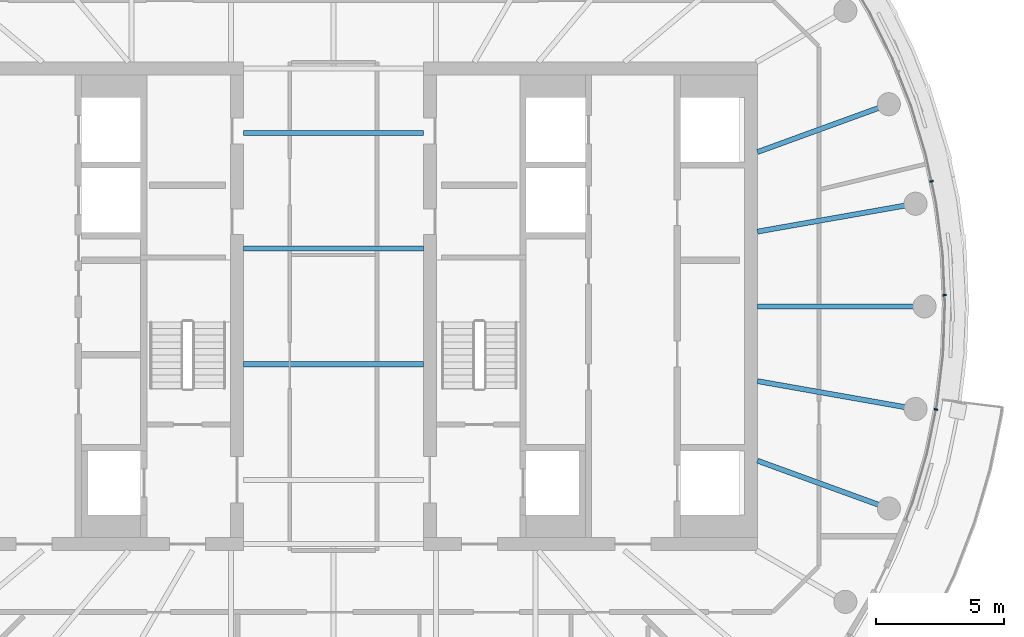
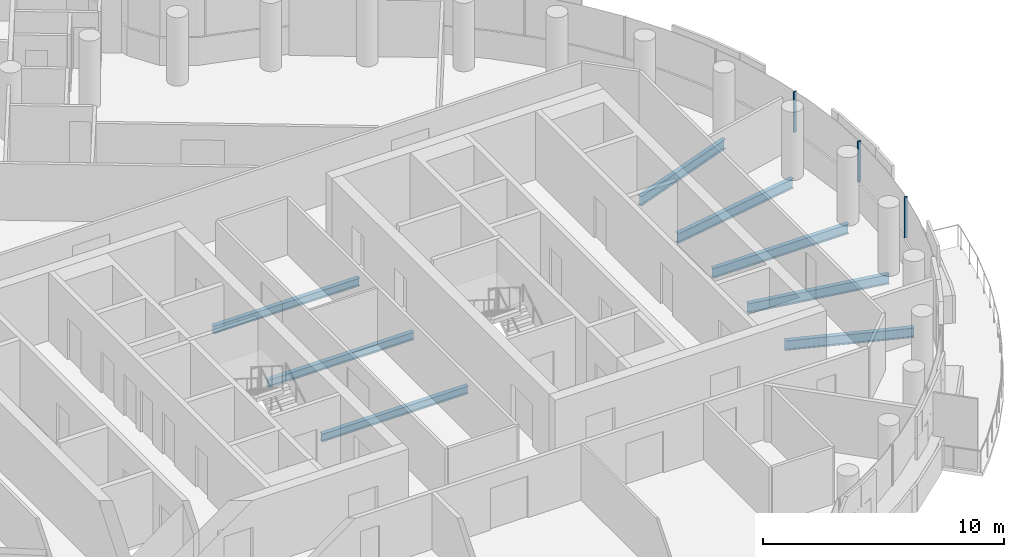
# One storey, part 8 of 27: 8 beams, 3 members, 1 element without a shape of its own.
"""IFC4 building model written with IfcOpenShell, lengths in metres."""

import ifcopenshell
import ifcopenshell.guid

model = None  # the IFC model being written
_history = None  # IfcOwnerHistory: only IFC2X3 demands one
_inside = {}  # id of a spatial element -> (the spatial element, [elements in it])
_under = {}  # id of a project, library or spatial element -> (it, [spatial elements below it])
_declared = {}  # id of a project -> (the project, [libraries it declares])
_typed = {}  # id of a type object -> (the type object, [elements of that type])
_made_of = {}  # id of a material, layer set ... -> (it, [elements and type objects made of it])


def new_model(schema):
    """Start an empty IFC model of exactly this schema.

    Asked for "IFC4X3", IfcOpenShell would pick the latest addendum, in which some entities
    have other attributes; the version numbers below select the first issue.
    IFC2X3 requires an IfcOwnerHistory on every rooted entity: one is made here for all.
    """
    global model, _history
    if schema == "IFC4X3":
        model = ifcopenshell.file(schema_version=(4, 3, 0, 0))
    else:
        model = ifcopenshell.file(schema=schema)
    _inside.clear()
    _under.clear()
    _declared.clear()
    _typed.clear()
    _made_of.clear()
    _history = None
    if model.schema == "IFC2X3":
        org = make("IfcOrganization", Name="unknown")
        user = make(
            "IfcPersonAndOrganization",
            ThePerson=make("IfcPerson", FamilyName="unknown"),
            TheOrganization=org,
        )
        app = make(
            "IfcApplication",
            ApplicationDeveloper=org,
            Version="unknown",
            ApplicationFullName="unknown",
            ApplicationIdentifier="unknown",
        )
        _history = make(
            "IfcOwnerHistory",
            OwningUser=user,
            OwningApplication=app,
            ChangeAction="ADDED",
            CreationDate=0,
        )
    return model


def make(cls, **values):
    """One entity of the class cls with the attributes given. An attribute that is None is left unset."""
    return model.create_entity(
        cls, **{name: value for name, value in values.items() if value is not None}
    )


def rooted(cls, **values):
    """An entity with a GlobalId (a new one), such as an element, a storey or a relation."""
    return make(cls, GlobalId=ifcopenshell.guid.new(), OwnerHistory=_history, **values)


def si_unit(unit_type, name, prefix=None):
    """IfcSIUnit, for example si_unit("LENGTHUNIT", "METRE", prefix="MILLI")."""
    return make("IfcSIUnit", UnitType=unit_type, Prefix=prefix, Name=name)


def assignment(units):
    """IfcUnitAssignment: the units of a project."""
    return None if units is None else make("IfcUnitAssignment", Units=units)


def point(xyz):
    """IfcCartesianPoint."""
    return None if xyz is None else make("IfcCartesianPoint", Coordinates=xyz)


def direction(xyz):
    """IfcDirection."""
    return None if xyz is None else make("IfcDirection", DirectionRatios=xyz)


def frame(location, z_axis=None, x_axis=None):
    """IfcAxis2Placement3D, a coordinate frame: its origin and axes. An axis left out is left unset."""
    return make(
        "IfcAxis2Placement3D",
        Location=point(location),
        Axis=direction(z_axis),
        RefDirection=direction(x_axis),
    )


def frame_2d(location, x_axis=None):
    """IfcAxis2Placement2D, a coordinate frame in the plane: its origin and x axis."""
    return make(
        "IfcAxis2Placement2D", Location=point(location), RefDirection=direction(x_axis)
    )


def origin():
    """The frame at (0, 0, 0) with its axes left unset."""
    return frame((0.0, 0.0, 0.0))


def origin_2d():
    """The frame at (0, 0) in the plane with its x axis left unset."""
    return frame_2d((0.0, 0.0))


def place(relative_to, where):
    """IfcLocalPlacement: puts the frame where relative to a parent placement (None: the world)."""
    return make(
        "IfcLocalPlacement", PlacementRelTo=relative_to, RelativePlacement=where
    )


def context(
    kind, dimensions, precision=None, world=None, true_north=None, identifier=None
):
    """IfcGeometricRepresentationContext, for example the 3D "Model" context."""
    return make(
        "IfcGeometricRepresentationContext",
        ContextIdentifier=identifier,
        ContextType=kind,
        CoordinateSpaceDimension=dimensions,
        Precision=precision,
        WorldCoordinateSystem=world,
        TrueNorth=true_north,
    )


def subcontext(parent, identifier, kind, view, scale=None):
    """IfcGeometricRepresentationSubContext, for example "Body" below "Model"."""
    return make(
        "IfcGeometricRepresentationSubContext",
        ContextIdentifier=identifier,
        ContextType=kind,
        ParentContext=parent,
        TargetScale=scale,
        TargetView=view,
    )


def project(units=None, contexts=None):
    """IfcProject with its units and contexts."""
    return rooted(
        "IfcProject",
        Name="project",
        RepresentationContexts=contexts,
        UnitsInContext=assignment(units),
    )


def spatial(cls, under=None, at=None, **own):
    """A site, building, storey or space (cls), placed at a placement, below another one or the project."""
    s = rooted(cls, ObjectPlacement=at, **own)
    if under is not None:
        _under.setdefault(under.id(), (under, []))[1].append(s)
    return s


def profile(cls, at=None, kind="AREA", **sizes):
    """A parametric profile (cls). Its sizes go by their IFC names, for example OverallWidth=200.0."""
    return make(cls, ProfileType=kind, Position=at, **sizes)


def rectangle(**sizes):
    """IfcRectangleProfileDef."""
    return profile("IfcRectangleProfileDef", **sizes)


def i_section(**sizes):
    """IfcIShapeProfileDef."""
    return profile("IfcIShapeProfileDef", **sizes)


def extrude(swept, where, along, depth):
    """IfcExtrudedAreaSolid: the profile swept, set in the frame where, extruded along a direction by depth."""
    return make(
        "IfcExtrudedAreaSolid",
        SweptArea=swept,
        Position=where,
        ExtrudedDirection=direction(along),
        Depth=depth,
    )


def shape(context_of_items, identifier, shape_type, items):
    """IfcShapeRepresentation: the items that make up one representation, for example the "Body"."""
    return make(
        "IfcShapeRepresentation",
        ContextOfItems=context_of_items,
        RepresentationIdentifier=identifier,
        RepresentationType=shape_type,
        Items=items,
    )


def material(Name=None, Category=None):
    """IfcMaterial."""
    return make("IfcMaterial", Name=Name, Category=Category)


def layer(
    of_material, thickness, ventilated=None, Name=None, Category=None, Priority=None
):
    """IfcMaterialLayer: one layer of a wall or slab, of a material (None: an air gap)."""
    return make(
        "IfcMaterialLayer",
        Material=of_material,
        LayerThickness=thickness,
        IsVentilated=ventilated,
        Name=Name,
        Category=Category,
        Priority=Priority,
    )


def layer_set(layers, Name=None):
    """IfcMaterialLayerSet."""
    return make("IfcMaterialLayerSet", MaterialLayers=layers, LayerSetName=Name)


def material_profile(
    of_material, cross_section, Name=None, Category=None, Priority=None
):
    """IfcMaterialProfile: a cross section and its material."""
    return make(
        "IfcMaterialProfile",
        Name=Name,
        Material=of_material,
        Profile=cross_section,
        Priority=Priority,
        Category=Category,
    )


def profile_set(profiles, Name=None, composite=None):
    """IfcMaterialProfileSet."""
    return make(
        "IfcMaterialProfileSet",
        Name=Name,
        MaterialProfiles=profiles,
        CompositeProfile=composite,
    )


def made_of(thing, what):
    """Note that an element or type object is made of a material, layer set ...; save() writes the relation."""
    if what is not None:
        _made_of.setdefault(what.id(), (what, []))[1].append(thing)
    return thing


def type_object(cls, material=None, **own):
    """A type object (cls), such as IfcWallType, which elements share."""
    return made_of(rooted(cls, **own), material)


def element(
    cls,
    number,
    at=None,
    inside=None,
    cuts=None,
    type_object=None,
    material=None,
    context=None,
    identifier="Body",
    shape_type=None,
    held_by="IfcProductDefinitionShape",
    body=None,
    shapes=None,
    **own,
):
    """One element of the class cls, such as IfcWall. Its Tag is "e" and its number.

    at: its placement. inside: the storey or other place that contains it. cuts: it is an
    opening in that element (IfcRelVoidsElement). A single representation is given by context,
    identifier, shape_type and body (its items); several are given by shapes. held_by: the class
    of the entity that holds the representations. save() writes the other relations.
    """
    e = rooted(cls, Tag="e%d" % number, ObjectPlacement=at, **own)
    if body is not None:
        shapes = [shape(context, identifier, shape_type, body)]
    if shapes is not None:
        e.Representation = make(held_by, Representations=shapes)
    if inside is not None:
        _inside.setdefault(inside.id(), (inside, []))[1].append(e)
    if cuts is not None:
        rooted(
            "IfcRelVoidsElement", RelatingBuildingElement=cuts, RelatedOpeningElement=e
        )
    if type_object is not None:
        _typed.setdefault(type_object.id(), (type_object, []))[1].append(e)
    return made_of(e, material)


def aggregate(whole, parts):
    """IfcRelAggregates: a whole, such as a stair, and the parts it consists of."""
    return rooted("IfcRelAggregates", RelatingObject=whole, RelatedObjects=parts)


def save(model, path):
    """Write the relations noted so far, then the file.

    IfcRelAggregates (storeys below a building ...), IfcRelContainedInSpatialStructure (elements
    in a storey), IfcRelDefinesByType, IfcRelAssociatesMaterial and IfcRelDeclares: one each for
    every whole, place, type object, material and project.
    """
    for whole, parts in _under.values():
        aggregate(whole, parts)
    for where, things in _inside.values():
        rooted(
            "IfcRelContainedInSpatialStructure",
            RelatedElements=things,
            RelatingStructure=where,
        )
    for kind, things in _typed.values():
        rooted("IfcRelDefinesByType", RelatedObjects=things, RelatingType=kind)
    for what, things in _made_of.values():
        rooted("IfcRelAssociatesMaterial", RelatedObjects=things, RelatingMaterial=what)
    for by, libraries in _declared.values():
        rooted("IfcRelDeclares", RelatingContext=by, RelatedDefinitions=libraries)
    model.write(path)


model = new_model("IFC4")

# Units and contexts
model_context = context("Model", 3, precision=1e-05, world=origin(), true_north=direction((0.0, 1.0)))
body_context = subcontext(model_context, "Body", "Model", "MODEL_VIEW")
ifc_project = project(units=[si_unit("LENGTHUNIT", "METRE"), si_unit("AREAUNIT", "SQUARE_METRE"), si_unit("VOLUMEUNIT", "CUBIC_METRE"), si_unit("PLANEANGLEUNIT", "RADIAN"), si_unit("MASSUNIT", "GRAM", prefix="KILO")], contexts=[model_context])

# Site, building, storey
site_placement = place(None, origin())
site = spatial("IfcSite", under=ifc_project, at=site_placement, CompositionType="ELEMENT")
building_placement = place(site_placement, origin())
building = spatial("IfcBuilding", under=site, at=building_placement, Name="Tamarind Cross Interchange Tower", CompositionType="ELEMENT")
storey_placement = place(building_placement, frame((0.0, 0.0, 245.10009765625)))
storey = spatial("IfcBuildingStorey", under=building, at=storey_placement, Name="L62", CompositionType="ELEMENT", Elevation=245.10009765625)

# Beams
ifc_material_1 = material(Name="Steel Q355B", Category="steel")
ifc_material_profile_1 = material_profile(ifc_material_1, i_section(OverallWidth=0.199951171875, OverallDepth=0.39990234375, WebThickness=0.008056640625, FlangeThickness=0.012939453125, FilletRadius=0.01611328125, at=origin_2d()), Name="HN 400x200x8x13")
ifc_profile_set_1 = profile_set([ifc_material_profile_1], Name="Steel Q355B")
beam_type_1 = type_object("IfcBeamType", Name="Composite beam HN 400x200x8x13 Q355B", PredefinedType="BEAM", material=ifc_profile_set_1)
for number, where, z_axis, x_axis, name in (
    (1, (-3.5, -2.25, -0.340087890625), (1.0, 0.0, 0.0), (0.0, 1.0, 0.0), "Beam G-2.25"),
    (2, (-3.5, 2.25, -0.340087890625), (1.0, 0.0, 0.0), (0.0, 1.0, 0.0), "Beam G2.25"),
    (3, (-3.5, 6.75, -0.340087890625), (1.0, 0.0, 0.0), (0.0, 1.0, 0.0), "Beam G6.75"),
):
    element("IfcBeam", number, at=place(storey_placement, frame(where, z_axis=z_axis, x_axis=x_axis)), inside=storey, type_object=beam_type_1, Name=name, PredefinedType="BEAM", context=body_context, shape_type="SweptSolid", body=[
        extrude(i_section(OverallWidth=0.199951171875, OverallDepth=0.39990234375, WebThickness=0.008056640625, FlangeThickness=0.012939453125, FilletRadius=0.01611328125, at=origin_2d()), origin(), (0.0, 0.0, 1.0), 7.0),
    ])
ifc_material_profile_2 = material_profile(ifc_material_1, i_section(OverallWidth=0.198974609375, OverallDepth=0.49609375, WebThickness=0.009033203125, FlangeThickness=0.013916015625, FilletRadius=0.012939453125, at=origin_2d()), Name="HN 496x199x9x14")
ifc_profile_set_2 = profile_set([ifc_material_profile_2], Name="Steel Q355B")
beam_type_2 = type_object("IfcBeamType", Name="Composite beam HN 496x199x9x14 Q355B", PredefinedType="BEAM", material=ifc_profile_set_2)
beam_1_placement = place(storey_placement, frame((23.0, 0.0, -0.38818359375), z_axis=(-1.0, 0.0, 0.0), x_axis=(0.0, -1.0, 0.0)))
element("IfcBeam", 4, at=beam_1_placement, inside=storey, type_object=beam_type_2, Name="Beam HH00", PredefinedType="BEAM", context=body_context, shape_type="SweptSolid", body=[
    extrude(i_section(OverallWidth=0.198974609375, OverallDepth=0.49609375, WebThickness=0.009033203125, FlangeThickness=0.013916015625, FilletRadius=0.012939453125, at=origin_2d()), origin(), (0.0, 0.0, 1.0), 6.5),
])
beam_2_placement = place(storey_placement, frame((22.650634765625, 3.993896484375, -0.38818359375), z_axis=(-0.984809127561, -0.173640382036, 0.0), x_axis=(0.173640382036, -0.984809127561, 0.0)))
element("IfcBeam", 5, at=beam_2_placement, inside=storey, type_object=beam_type_2, Name="Beam HH01", PredefinedType="BEAM", context=body_context, shape_type="SweptSolid", body=[
    extrude(i_section(OverallWidth=0.198974609375, OverallDepth=0.49609375, WebThickness=0.009033203125, FlangeThickness=0.013916015625, FilletRadius=0.012939453125, at=origin_2d()), origin(), (0.0, 0.0, 1.0), 6.24560546875),
])
for number, where, z_axis, x_axis, name in (
    (6, (21.613037109375, 7.866455078125, -0.38818359375), (-0.939701685589, -0.341995236956, 0.0), (0.341995236956, -0.939701685589, 0.0), "Beam HH02"),
    (7, (21.613037109375, -7.866455078125, -0.38818359375), (-0.939701685589, 0.341995236956, 0.0), (-0.341995236956, -0.939701685589, 0.0), "Beam HH34"),
):
    element("IfcBeam", number, at=place(storey_placement, frame(where, z_axis=z_axis, x_axis=x_axis)), inside=storey, type_object=beam_type_2, Name=name, PredefinedType="BEAM", context=body_context, shape_type="SweptSolid", body=[
        extrude(i_section(OverallWidth=0.198974609375, OverallDepth=0.49609375, WebThickness=0.009033203125, FlangeThickness=0.013916015625, FilletRadius=0.012939453125, at=origin_2d()), origin(), (0.0, 0.0, 1.0), 5.441162109375),
    ])
beam_3_placement = place(storey_placement, frame((22.650634765625, -3.993896484375, -0.38818359375), z_axis=(-0.984809127561, 0.173640382036, 0.0), x_axis=(-0.173640382036, -0.984809127561, 0.0)))
element("IfcBeam", 8, at=beam_3_placement, inside=storey, type_object=beam_type_2, Name="Beam HH35", PredefinedType="BEAM", context=body_context, shape_type="SweptSolid", body=[
    extrude(i_section(OverallWidth=0.198974609375, OverallDepth=0.49609375, WebThickness=0.009033203125, FlangeThickness=0.013916015625, FilletRadius=0.012939453125, at=origin_2d()), origin(), (0.0, 0.0, 1.0), 6.24560546875),
])

# Curtain wall, members
ifc_material_2 = material(Name="Aluminium 6063-T6", Category="aluminium")
ifc_layer = layer(ifc_material_2, 0.139892578125)
ifc_layer_set = layer_set([ifc_layer], Name="Aluminium 6063-T6")
curtain_wall_type = type_object("IfcCurtainWallType", Name="Hotel curtain wall, 4.5 m bays", PredefinedType="NOTDEFINED", material=ifc_layer_set)
curtain_wall_placement = place(storey_placement, origin())
curtain_wall = element("IfcCurtainWall", 9, at=curtain_wall_placement, inside=storey, type_object=curtain_wall_type, Name="CWS-L62-06", PredefinedType="NOTDEFINED")
ifc_material_profile_3 = material_profile(ifc_material_2, rectangle(XDim=0.06005859375, YDim=0.139892578125, at=origin_2d()), Name="Mullion CW2")
ifc_profile_set_3 = profile_set([ifc_material_profile_3], Name="Aluminium 6063-T6")
member_type = type_object("IfcMemberType", Name="Mullion CW2", PredefinedType="MULLION", material=ifc_profile_set_3)
member_1_placement = place(storey_placement, frame((23.447509765625, -4.011962890625, 1.39990234375), z_axis=(0.0, 0.0, 1.0), x_axis=(0.201001463943, 0.9795909409, 0.0)))
member_1 = element("IfcMember", 10, at=member_1_placement, type_object=member_type, Name="CWM-L62-06-13", PredefinedType="MULLION", context=body_context, shape_type="SweptSolid", body=[
    extrude(rectangle(XDim=0.06005859375, YDim=0.139892578125, at=origin_2d()), origin(), (0.0, 0.0, 1.0), 2.06005859375),
])
member_2_placement = place(storey_placement, frame((23.7802734375, 0.434814453125, 1.39990234375), z_axis=(0.0, 0.0, 1.0), x_axis=(-0.045624486728, 0.998958660912, 0.0)))
member_2 = element("IfcMember", 11, at=member_2_placement, type_object=member_type, Name="CWM-L62-06-14", PredefinedType="MULLION", context=body_context, shape_type="SweptSolid", body=[
    extrude(rectangle(XDim=0.06005859375, YDim=0.139892578125, at=origin_2d()), origin(), (0.0, 0.0, 1.0), 2.06005859375),
])
member_3_placement = place(storey_placement, frame((23.272705078125, 4.86474609375, 1.39990234375), z_axis=(0.0, 0.0, 1.0), x_axis=(-0.209425419705, 0.977824623121, 0.0)))
member_3 = element("IfcMember", 12, at=member_3_placement, type_object=member_type, Name="CWM-L62-06-15", PredefinedType="MULLION", context=body_context, shape_type="SweptSolid", body=[
    extrude(rectangle(XDim=0.06005859375, YDim=0.139892578125, at=origin_2d()), origin(), (0.0, 0.0, 1.0), 2.06005859375),
])
aggregate(curtain_wall, [member_1, member_2, member_3])

save(model, "model.ifc")
